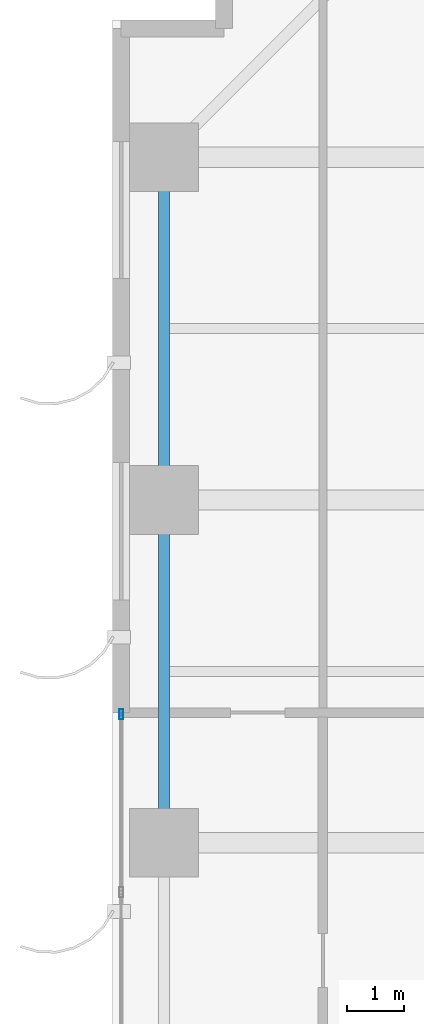
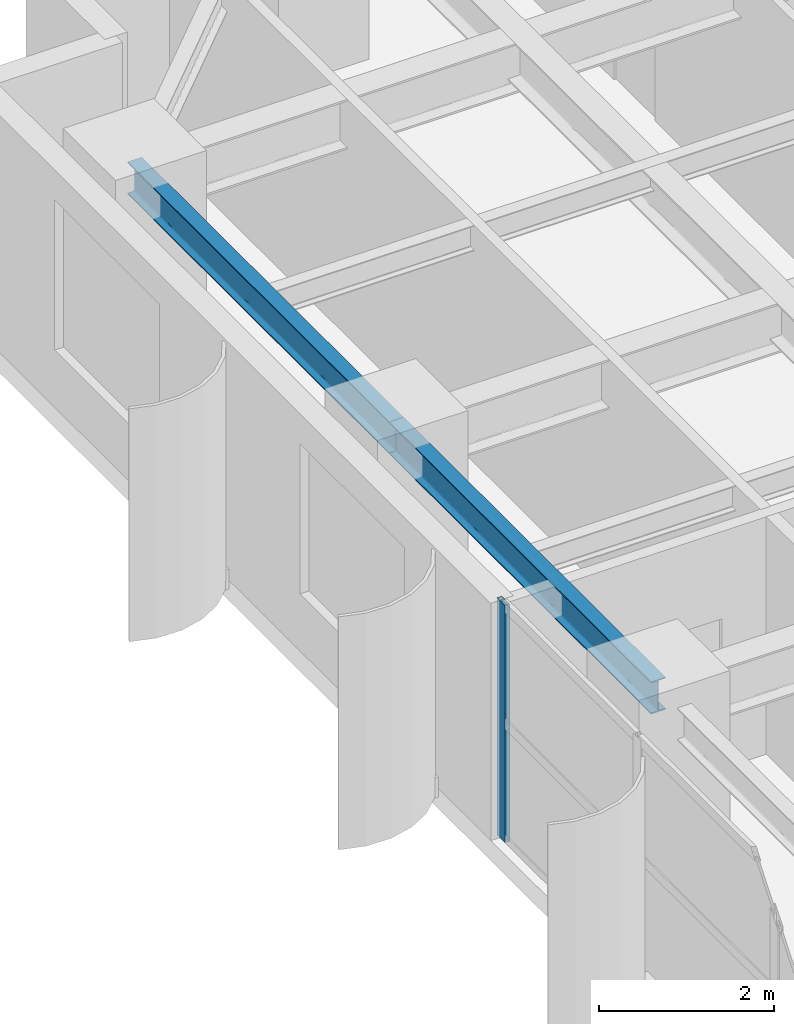
# One storey, part 5 of 17: 2 beams, 1 member, 1 element without a shape of its own.
"""IFC4 building model written with IfcOpenShell, lengths in metres."""

from ifc_helpers import new_model, si_unit, direction, frame, origin, origin_2d, place, context, subcontext, project, spatial, hollow_rectangle, i_section, extrude, source, transform, mapped, material, layer, layer_set, material_profile, profile_set, type_object, element, aggregate, save


model = new_model("IFC4")

# Units and contexts
model_context = context("Model", 3, precision=1e-05, world=origin(), true_north=direction((0.0, 1.0)))
body_context = subcontext(model_context, "Body", "Model", "MODEL_VIEW")
ifc_project = project(units=[si_unit("LENGTHUNIT", "METRE"), si_unit("AREAUNIT", "SQUARE_METRE"), si_unit("VOLUMEUNIT", "CUBIC_METRE"), si_unit("PLANEANGLEUNIT", "RADIAN"), si_unit("MASSUNIT", "GRAM", prefix="KILO")], contexts=[model_context])

# Site, building, storey
site_placement = place(None, origin())
site = spatial("IfcSite", under=ifc_project, at=site_placement, CompositionType="ELEMENT")
building_placement = place(site_placement, origin())
building = spatial("IfcBuilding", under=site, at=building_placement, Name="Khoralis Quay Care Tower", CompositionType="ELEMENT")
storey_placement = place(building_placement, frame((0.0, 0.0, 58.5)))
storey = spatial("IfcBuildingStorey", under=building, at=storey_placement, Name="L15", CompositionType="ELEMENT", Elevation=58.5)

# Beams
ifc_material_1 = material(Name="Steel S355", Category="steel")
ifc_material_profile_1 = material_profile(ifc_material_1, i_section(OverallWidth=0.18994140625, OverallDepth=0.449951171875, WebThickness=0.009521484375, FlangeThickness=0.0146484375, FilletRadius=0.02099609375, at=origin_2d()), Name="Steel S355")
ifc_profile_set_1 = profile_set([ifc_material_profile_1], Name="Steel S355")
beam_type = type_object("IfcBeamType", Name="BM-IPE450", PredefinedType="SPANDREL", material=ifc_profile_set_1)
shared_shape_1 = source(origin(), body_context, "Body", "SweptSolid", [
    extrude(i_section(OverallWidth=0.18994140625, OverallDepth=0.449951171875, WebThickness=0.009521484375, FlangeThickness=0.0146484375, FilletRadius=0.02099609375, at=origin_2d()), origin(), (0.0, 0.0, 1.0), 6.0),
])
for number, where, z_axis, x_axis, name in (
    (1, (0.89990234375, 30.0, 3.094970703125), (0.0, 1.0, 0.0), (-1.0, 0.0, 0.0), "BM-TSP-L15-17"),
    (2, (0.89990234375, 36.0, 3.094970703125), (0.0, 1.0, 0.0), (-1.0, 0.0, 0.0), "BM-TSP-L15-18"),
):
    element("IfcBeam", number, at=place(storey_placement, frame(where, z_axis=z_axis, x_axis=x_axis)), inside=storey, type_object=beam_type, Name=name, PredefinedType="SPANDREL", context=body_context, shape_type="MappedRepresentation", body=[
        mapped(shared_shape_1, transform((0.0, 0.0, 0.0), scale=1.0)),
    ])

# Curtain wall, member
ifc_material_2 = material(Name="Pale anodised aluminium", Category="aluminium")
ifc_layer = layer(ifc_material_2, 0.179931640625)
ifc_layer_set = layer_set([ifc_layer], Name="Pale anodised aluminium")
curtain_wall_type = type_object("IfcCurtainWallType", Name="CW-SYS-Z1", PredefinedType="NOTDEFINED", material=ifc_layer_set)
curtain_wall_placement = place(storey_placement, origin())
curtain_wall = element("IfcCurtainWall", 3, at=curtain_wall_placement, inside=storey, type_object=curtain_wall_type, Name="L15 Unitised Curtain Wall CW-L15-P1-E15", PredefinedType="NOTDEFINED")
ifc_material_profile_2 = material_profile(ifc_material_2, hollow_rectangle(XDim=0.06494140625, YDim=0.179931640625, WallThickness=0.00390625, at=origin_2d()), Name="Pale anodised aluminium")
ifc_profile_set_2 = profile_set([ifc_material_profile_2], Name="Pale anodised aluminium")
member_type = type_object("IfcMemberType", Name="CW-MUL-180", PredefinedType="MULLION", material=ifc_profile_set_2)
shared_shape_2 = source(origin(), body_context, "Body", "SweptSolid", [
    extrude(hollow_rectangle(XDim=0.06494140625, YDim=0.179931640625, WallThickness=0.00390625, at=origin_2d()), origin(), (0.0, 0.0, 1.0), 3.320068359375),
])
member_placement = place(storey_placement, frame((0.14990234375, 32.25, 0.0), z_axis=(0.0, 0.0, 1.0), x_axis=(1.0, 0.0, 0.0)))
member = element("IfcMember", 4, at=member_placement, type_object=member_type, Name="CW1 mullion 1", PredefinedType="MULLION", context=body_context, shape_type="MappedRepresentation", body=[
    mapped(shared_shape_2, transform((0.0, 0.0, 0.0), scale=1.0)),
])
aggregate(curtain_wall, [member])

save(model, "model.ifc")
